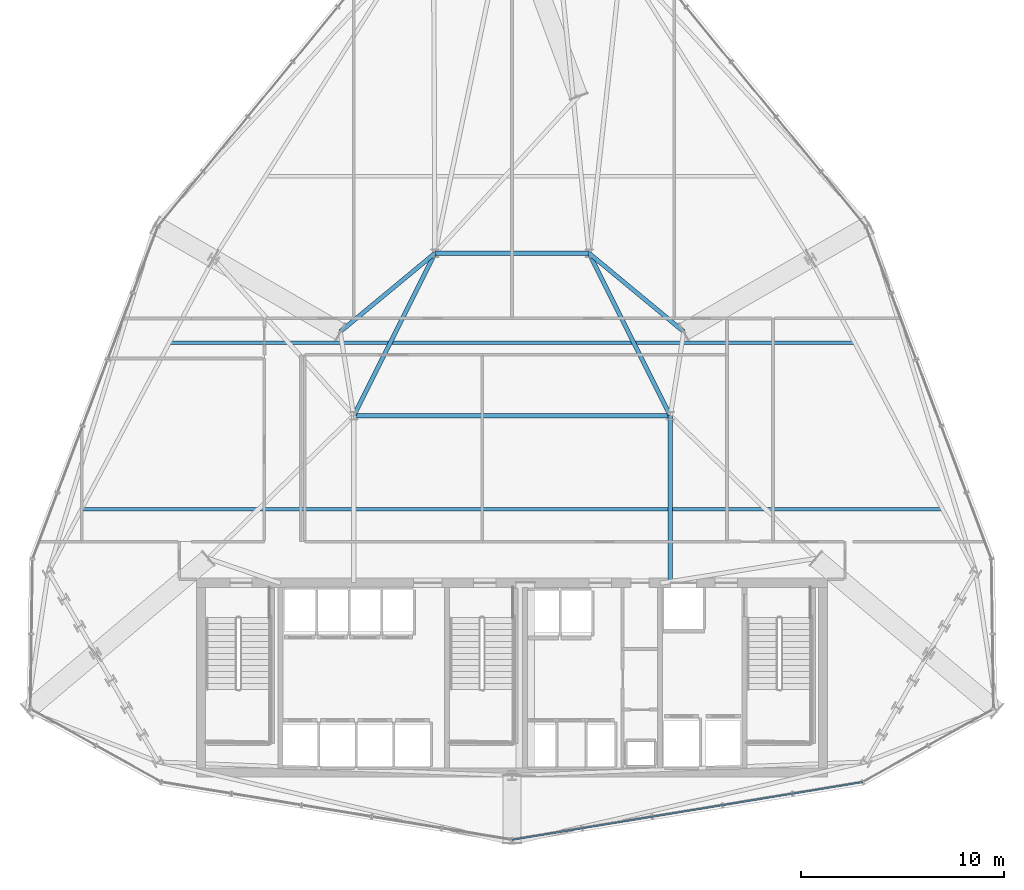
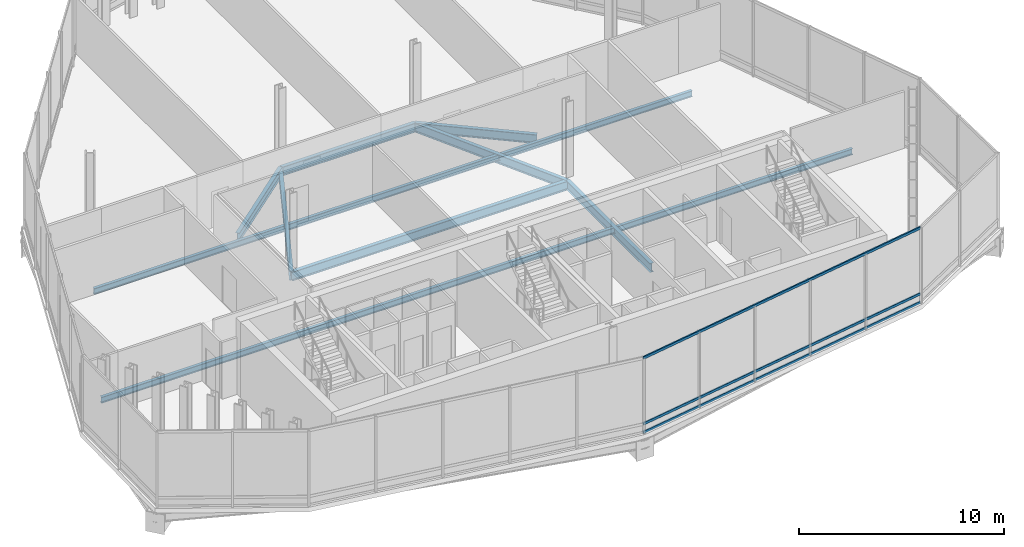
# One storey, part 8 of 26: 9 beams, 3 members, 1 element without a shape of its own.
"""IFC4 building model written with IfcOpenShell, lengths in metres."""

from ifc_helpers import new_model, si_unit, direction, frame, origin, origin_2d, place, context, subcontext, project, spatial, hollow_rectangle, i_section, extrude, material, layer, layer_set, material_profile, profile_set, type_object, element, aggregate, save


model = new_model("IFC4")

# Units and contexts
model_context = context("Model", 3, precision=1e-05, world=origin(), true_north=direction((0.0, 1.0)))
body_context = subcontext(model_context, "Body", "Model", "MODEL_VIEW")
ifc_project = project(units=[si_unit("LENGTHUNIT", "METRE"), si_unit("AREAUNIT", "SQUARE_METRE"), si_unit("VOLUMEUNIT", "CUBIC_METRE"), si_unit("PLANEANGLEUNIT", "RADIAN"), si_unit("MASSUNIT", "GRAM", prefix="KILO")], contexts=[model_context])

# Site, building, storey
site_placement = place(None, origin())
site = spatial("IfcSite", under=ifc_project, at=site_placement, CompositionType="ELEMENT")
building_placement = place(site_placement, origin())
building = spatial("IfcBuilding", under=site, at=building_placement, Name="Ndaravel Arena Tower", CompositionType="ELEMENT")
storey_placement = place(building_placement, frame((0.0, 0.0, 117.39990234375)))
storey = spatial("IfcBuildingStorey", under=building, at=storey_placement, Name="L27", CompositionType="ELEMENT", Elevation=117.39990234375)

# Beams
ifc_material_1 = material(Name="Steel S355", Category="steel")
ifc_material_profile_1 = material_profile(ifc_material_1, i_section(OverallWidth=0.210693359375, OverallDepth=0.53955078125, WebThickness=0.01171875, FlangeThickness=0.018798828125, FilletRadius=0.0126953125, at=origin_2d()), Name="UB 533x210x109")
ifc_profile_set_1 = profile_set([ifc_material_profile_1], Name="Steel S355")
beam_type_1 = type_object("IfcBeamType", Name="BM-GIRD-UB533", PredefinedType="BEAM", material=ifc_profile_set_1)
beam_1_placement = place(storey_placement, frame((49.800048828125, 14.97998046875, -0.549560546875), z_axis=(0.0, 1.0, 0.0), x_axis=(-1.0, 0.0, 0.0)))
element("IfcBeam", 1, at=beam_1_placement, inside=storey, type_object=beam_type_1, Name="L27 Spine Link Girder SLG-02", PredefinedType="BEAM", context=body_context, shape_type="SweptSolid", body=[
    extrude(i_section(OverallWidth=0.210693359375, OverallDepth=0.53955078125, WebThickness=0.01171875, FlangeThickness=0.018798828125, FilletRadius=0.0126953125, at=origin_2d()), origin(), (0.0, 0.0, 1.0), 8.219970703125),
])
beam_2_placement = place(storey_placement, frame((34.199951171875, 23.199951171875, -0.549560546875), z_axis=(1.0, 0.0, 0.0), x_axis=(0.0, 1.0, 0.0)))
element("IfcBeam", 2, at=beam_2_placement, inside=storey, type_object=beam_type_1, Name="L27 Spine Link Girder SLG-03", PredefinedType="BEAM", context=body_context, shape_type="SweptSolid", body=[
    extrude(i_section(OverallWidth=0.210693359375, OverallDepth=0.53955078125, WebThickness=0.01171875, FlangeThickness=0.018798828125, FilletRadius=0.0126953125, at=origin_2d()), origin(), (0.0, 0.0, 1.0), 15.60009765625),
])
for number, where, z_axis, x_axis, name in (
    (3, (34.199951171875, 23.199951171875, -0.549560546875), (0.4472135955, 0.894427191, 0.0), (-0.894427191, 0.4472135955, 0.0), "L27 Spine Link Girder SLG-04"),
    (4, (49.800048828125, 23.199951171875, -0.549560546875), (-0.4472135955, 0.894427191, 0.0), (-0.894427191, -0.4472135955, 0.0), "L27 Spine Link Girder SLG-05"),
):
    element("IfcBeam", number, at=place(storey_placement, frame(where, z_axis=z_axis, x_axis=x_axis)), inside=storey, type_object=beam_type_1, Name=name, PredefinedType="BEAM", context=body_context, shape_type="SweptSolid", body=[
        extrude(i_section(OverallWidth=0.210693359375, OverallDepth=0.53955078125, WebThickness=0.01171875, FlangeThickness=0.018798828125, FilletRadius=0.0126953125, at=origin_2d()), origin(), (0.0, 0.0, 1.0), 8.9443359375),
    ])
beam_3_placement = place(storey_placement, frame((38.199951171875, 31.199951171875, -0.549560546875), z_axis=(1.0, 0.0, 0.0), x_axis=(0.0, 1.0, 0.0)))
element("IfcBeam", 5, at=beam_3_placement, inside=storey, type_object=beam_type_1, Name="L27 Spine Link Girder SLG-06", PredefinedType="BEAM", context=body_context, shape_type="SweptSolid", body=[
    extrude(i_section(OverallWidth=0.210693359375, OverallDepth=0.53955078125, WebThickness=0.01171875, FlangeThickness=0.018798828125, FilletRadius=0.0126953125, at=origin_2d()), origin(), (0.0, 0.0, 1.0), 7.60009765625),
])
for number, where, z_axis, x_axis, name in (
    (6, (50.462890625, 27.33837890625, -0.549560546875), (-0.770177765187, 0.637829295354, 0.0), (-0.637829295354, -0.770177765187, 0.0), "L27 Star Backspan Anchor Tie SAT2-4"),
    (7, (33.537109375, 27.33837890625, -0.549560546875), (0.770177765187, 0.637829295354, 0.0), (-0.637829295354, 0.770177765187, 0.0), "L27 Star Backspan Anchor Tie SAT2-6"),
):
    element("IfcBeam", number, at=place(storey_placement, frame(where, z_axis=z_axis, x_axis=x_axis)), inside=storey, type_object=beam_type_1, Name=name, PredefinedType="BEAM", context=body_context, shape_type="SweptSolid", body=[
        extrude(i_section(OverallWidth=0.210693359375, OverallDepth=0.53955078125, WebThickness=0.01171875, FlangeThickness=0.018798828125, FilletRadius=0.0126953125, at=origin_2d()), origin(), (0.0, 0.0, 1.0), 6.05419921875),
    ])
ifc_material_2 = material(Name="Steel S355", Category="steel")
ifc_material_profile_2 = material_profile(ifc_material_2, i_section(OverallWidth=0.172119140625, OverallDepth=0.35791015625, WebThickness=0.008056640625, FlangeThickness=0.012939453125, FilletRadius=0.01025390625, at=origin_2d()), Name="UB 356x171x57")
ifc_profile_set_2 = profile_set([ifc_material_profile_2], Name="Steel S355")
beam_type_2 = type_object("IfcBeamType", Name="BM-JOIST-UB356", PredefinedType="JOIST", material=ifc_profile_set_2)
beam_4_placement = place(storey_placement, frame((20.794921875, 18.60009765625, -0.458984375), z_axis=(1.0, 0.0, 0.0), x_axis=(0.0, 1.0, 0.0)))
element("IfcBeam", 8, at=beam_4_placement, inside=storey, type_object=beam_type_2, Name="L27 Composite Floor Joist FJ-01", PredefinedType="JOIST", context=body_context, shape_type="SweptSolid", body=[
    extrude(i_section(OverallWidth=0.172119140625, OverallDepth=0.35791015625, WebThickness=0.008056640625, FlangeThickness=0.012939453125, FilletRadius=0.01025390625, at=origin_2d()), origin(), (0.0, 0.0, 1.0), 42.41015625),
])
beam_5_placement = place(storey_placement, frame((25.119384765625, 26.800048828125, -0.458984375), z_axis=(1.0, 0.0, 0.0), x_axis=(0.0, 1.0, 0.0)))
element("IfcBeam", 9, at=beam_5_placement, inside=storey, type_object=beam_type_2, Name="L27 Composite Floor Joist FJ-02", PredefinedType="JOIST", context=body_context, shape_type="SweptSolid", body=[
    extrude(i_section(OverallWidth=0.172119140625, OverallDepth=0.35791015625, WebThickness=0.008056640625, FlangeThickness=0.012939453125, FilletRadius=0.01025390625, at=origin_2d()), origin(), (0.0, 0.0, 1.0), 33.76123046875),
])

# Curtain wall, members
ifc_material_3 = material(Name="Aluminium", Category="aluminium")
ifc_layer = layer(ifc_material_3, 0.179931640625)
ifc_layer_set = layer_set([ifc_layer], Name="Aluminium")
curtain_wall_type = type_object("IfcCurtainWallType", Name="CW-SYS-04", PredefinedType="NOTDEFINED", material=ifc_layer_set)
curtain_wall_placement = place(storey_placement, origin())
curtain_wall = element("IfcCurtainWall", 10, at=curtain_wall_placement, inside=storey, type_object=curtain_wall_type, Name="L27 Faceted Crystal Curtain Wall CW-L27-E03", PredefinedType="NOTDEFINED")
ifc_material_4 = material(Name="Aluminium", Category="aluminium")
ifc_material_profile_3 = material_profile(ifc_material_4, hollow_rectangle(XDim=0.074951171875, YDim=0.14990234375, WallThickness=0.00390625, at=origin_2d()), Name="CW TRANSOM 75x150x4")
ifc_profile_set_3 = profile_set([ifc_material_profile_3], Name="Aluminium")
member_type = type_object("IfcMemberType", Name="MEM-CW-TRN150", PredefinedType="USERDEFINED", material=ifc_profile_set_3)
member_1_placement = place(storey_placement, frame((42.0, 2.31201171875, 0.0400390625), z_axis=(0.986739994862, 0.162308910846, 0.0), x_axis=(-0.162308910846, 0.986739994862, 0.0)))
member_1 = element("IfcMember", 11, at=member_1_placement, type_object=member_type, Name="CW-L27-E03 Transom 01", ObjectType="TRANSOM", PredefinedType="USERDEFINED", context=body_context, shape_type="SweptSolid", body=[
    extrude(hollow_rectangle(XDim=0.074951171875, YDim=0.14990234375, WallThickness=0.00390625, at=origin_2d()), origin(), (0.0, 0.0, 1.0), 17.505615234375),
])
member_2_placement = place(storey_placement, frame((42.0, 2.31201171875, 0.550048828125), z_axis=(0.986739994862, 0.162308910846, 0.0), x_axis=(-0.162308910846, 0.986739994862, 0.0)))
member_2 = element("IfcMember", 12, at=member_2_placement, type_object=member_type, Name="CW-L27-E03 Transom 02", ObjectType="TRANSOM", PredefinedType="USERDEFINED", context=body_context, shape_type="SweptSolid", body=[
    extrude(hollow_rectangle(XDim=0.074951171875, YDim=0.14990234375, WallThickness=0.00390625, at=origin_2d()), origin(), (0.0, 0.0, 1.0), 17.505615234375),
])
member_3_placement = place(storey_placement, frame((42.0, 2.31201171875, 4.47998046875), z_axis=(0.986739994862, 0.162308910846, 0.0), x_axis=(-0.162308910846, 0.986739994862, 0.0)))
member_3 = element("IfcMember", 13, at=member_3_placement, type_object=member_type, Name="CW-L27-E03 Transom 03", ObjectType="TRANSOM", PredefinedType="USERDEFINED", context=body_context, shape_type="SweptSolid", body=[
    extrude(hollow_rectangle(XDim=0.074951171875, YDim=0.14990234375, WallThickness=0.00390625, at=origin_2d()), origin(), (0.0, 0.0, 1.0), 17.505615234375),
])
aggregate(curtain_wall, [member_1, member_2, member_3])

save(model, "model.ifc")
